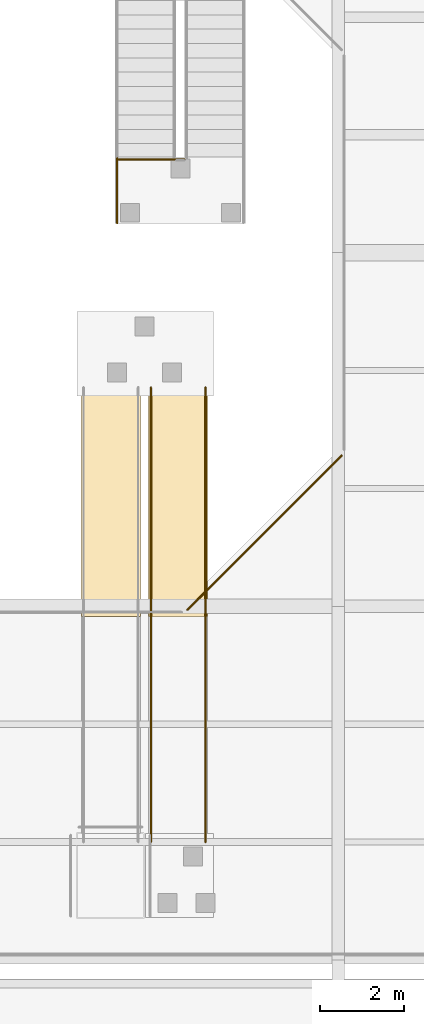
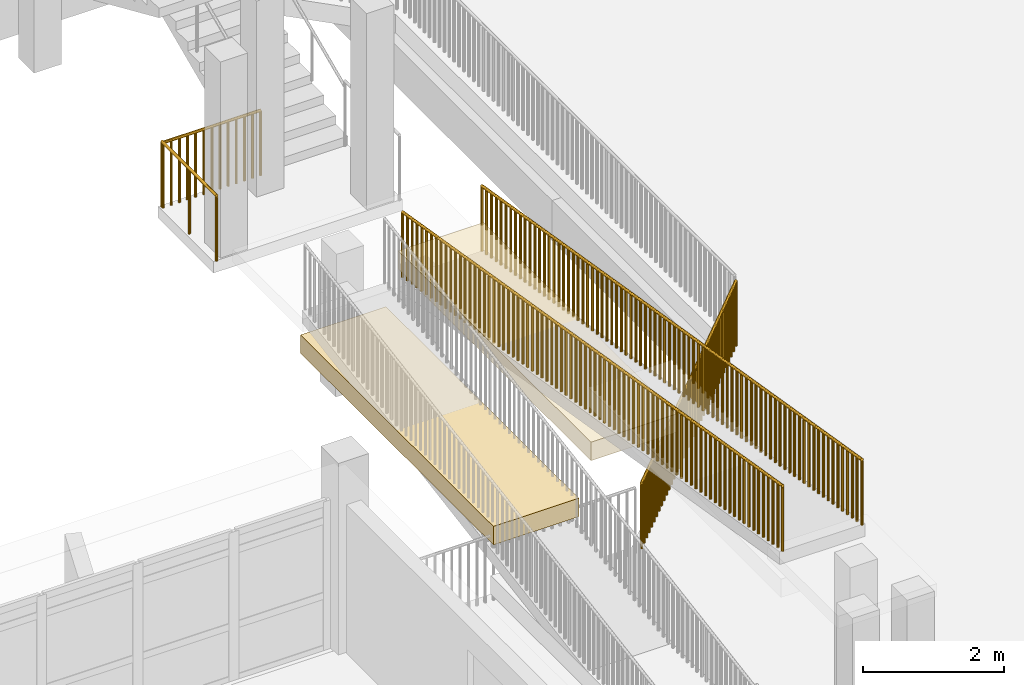
# One storey, part 73 of 92: 5 railings, 2 coverings.
"""IFC4 building model written with IfcOpenShell, lengths in metres."""

from ifc_helpers import new_model, si_unit, direction, frame, origin, origin_2d, place, context, subcontext, project, spatial, rectangle, circle, extrude, material, layer, layer_set, type_object, element, save


model = new_model("IFC4")

# Units and contexts
model_context = context("Model", 3, precision=1e-05, world=origin(), true_north=direction((0.0, 1.0)))
body_context = subcontext(model_context, "Body", "Model", "MODEL_VIEW")
ifc_project = project(units=[si_unit("LENGTHUNIT", "METRE"), si_unit("AREAUNIT", "SQUARE_METRE"), si_unit("VOLUMEUNIT", "CUBIC_METRE"), si_unit("PLANEANGLEUNIT", "RADIAN"), si_unit("MASSUNIT", "GRAM", prefix="KILO")], contexts=[model_context])

# Site, building, storey
site_placement = place(None, origin())
site = spatial("IfcSite", under=ifc_project, at=site_placement, CompositionType="ELEMENT")
building_placement = place(site_placement, origin())
building = spatial("IfcBuilding", under=site, at=building_placement, Name="Vanh Quang Courtyard School", CompositionType="ELEMENT")
storey_placement = place(building_placement, frame((0.0, 0.0, 7.800048828125)))
storey = spatial("IfcBuildingStorey", under=building, at=storey_placement, Name="L02", CompositionType="ELEMENT", Elevation=7.800048828125)

# Coverings
ifc_material_1 = material(Name="Board-marked precast concrete C40/50", Category="concrete")
ifc_layer = layer(ifc_material_1, 0.239990234375)
ifc_layer_set = layer_set([ifc_layer], Name="Board-marked precast concrete C40/50")
covering_type = type_object("IfcCoveringType", Name="COV-HOOD-CONC", PredefinedType="CLADDING", material=ifc_layer_set)
for number, where, z_axis, x_axis, name in (
    (1, (105.60009765625, 15.10009765625, 1.02978515625), (0.0, 0.0, 1.0), (1.0, 0.0, 0.0), "Covering CH-01 (L02)"),
    (2, (107.199951171875, 15.10009765625, 1.9296875), (0.0, 0.0, 1.0), (1.0, 0.0, 0.0), "Covering CH-01 (L02)"),
):
    element("IfcCovering", number, at=place(storey_placement, frame(where, z_axis=z_axis, x_axis=x_axis)), inside=storey, type_object=covering_type, Name=name, PredefinedType="CLADDING", context=body_context, shape_type="SweptSolid", body=[
        extrude(rectangle(XDim=1.39990234375, YDim=5.47998046875, at=origin_2d()), origin(), (0.0, 0.0, 1.0), 0.320068359375),
    ])

# Railings
ifc_material_2 = material(Name="Galvanised painted steel EN 10025-2 S355J2", Category="steel")
railing_type = type_object("IfcRailingType", Name="RAIL-GUARD-1150", PredefinedType="BALUSTRADE", material=ifc_material_2)
railing_1_placement = place(storey_placement, frame((107.41748046875, 12.515625, 0.0)))
element("IfcRailing", 3, at=railing_1_placement, inside=storey, type_object=railing_type, Name="Railing GR-01 (L02)", PredefinedType="BALUSTRADE", context=body_context, shape_type="SweptSolid", body=[
    extrude(circle(Radius=0.02392578125, at=origin_2d()), frame((0.0, 0.0, 1.1259765625), z_axis=(0.707130320419, 0.70708324117, 0.0), x_axis=(-0.70708324117, 0.707130320419, 0.0)), (0.0, 0.0, 1.0), 5.185791015625),
    extrude(circle(Radius=0.02099609375, at=origin_2d()), origin(), (0.0, 0.0, 1.0), 1.101806640625),
    extrude(circle(Radius=0.02099609375, at=origin_2d()), frame((0.096435546875, 0.096435546875, 0.0)), (0.0, 0.0, 1.0), 1.101806640625),
    extrude(circle(Radius=0.02099609375, at=origin_2d()), frame((0.193115234375, 0.19287109375, 0.0)), (0.0, 0.0, 1.0), 1.101806640625),
    extrude(circle(Radius=0.02099609375, at=origin_2d()), frame((0.28955078125, 0.28955078125, 0.0)), (0.0, 0.0, 1.0), 1.101806640625),
    extrude(circle(Radius=0.02099609375, at=origin_2d()), frame((0.385986328125, 0.385986328125, 0.0)), (0.0, 0.0, 1.0), 1.101806640625),
    extrude(circle(Radius=0.02099609375, at=origin_2d()), frame((0.482421875, 0.482421875, 0.0)), (0.0, 0.0, 1.0), 1.101806640625),
    extrude(circle(Radius=0.02099609375, at=origin_2d()), frame((0.5791015625, 0.578857421875, 0.0)), (0.0, 0.0, 1.0), 1.101806640625),
    extrude(circle(Radius=0.02099609375, at=origin_2d()), frame((0.675537109375, 0.675537109375, 0.0)), (0.0, 0.0, 1.0), 1.101806640625),
    extrude(circle(Radius=0.02099609375, at=origin_2d()), frame((0.77197265625, 0.77197265625, 0.0)), (0.0, 0.0, 1.0), 1.101806640625),
    extrude(circle(Radius=0.02099609375, at=origin_2d()), frame((0.868408203125, 0.868408203125, 0.0)), (0.0, 0.0, 1.0), 1.101806640625),
    extrude(circle(Radius=0.02099609375, at=origin_2d()), frame((0.965087890625, 0.96484375, 0.0)), (0.0, 0.0, 1.0), 1.101806640625),
    extrude(circle(Radius=0.02099609375, at=origin_2d()), frame((1.0615234375, 1.0615234375, 0.0)), (0.0, 0.0, 1.0), 1.101806640625),
    extrude(circle(Radius=0.02099609375, at=origin_2d()), frame((1.157958984375, 1.157958984375, 0.0)), (0.0, 0.0, 1.0), 1.101806640625),
    extrude(circle(Radius=0.02099609375, at=origin_2d()), frame((1.25439453125, 1.25439453125, 0.0)), (0.0, 0.0, 1.0), 1.101806640625),
    extrude(circle(Radius=0.02099609375, at=origin_2d()), frame((1.35107421875, 1.350830078125, 0.0)), (0.0, 0.0, 1.0), 1.101806640625),
    extrude(circle(Radius=0.02099609375, at=origin_2d()), frame((1.447509765625, 1.447509765625, 0.0)), (0.0, 0.0, 1.0), 1.101806640625),
    extrude(circle(Radius=0.02099609375, at=origin_2d()), frame((1.5439453125, 1.5439453125, 0.0)), (0.0, 0.0, 1.0), 1.101806640625),
    extrude(circle(Radius=0.02099609375, at=origin_2d()), frame((1.640380859375, 1.640380859375, 0.0)), (0.0, 0.0, 1.0), 1.101806640625),
    extrude(circle(Radius=0.02099609375, at=origin_2d()), frame((1.737060546875, 1.73681640625, 0.0)), (0.0, 0.0, 1.0), 1.101806640625),
    extrude(circle(Radius=0.02099609375, at=origin_2d()), frame((1.83349609375, 1.83349609375, 0.0)), (0.0, 0.0, 1.0), 1.101806640625),
    extrude(circle(Radius=0.02099609375, at=origin_2d()), frame((1.929931640625, 1.929931640625, 0.0)), (0.0, 0.0, 1.0), 1.101806640625),
    extrude(circle(Radius=0.02099609375, at=origin_2d()), frame((2.026611328125, 2.0263671875, 0.0)), (0.0, 0.0, 1.0), 1.101806640625),
    extrude(circle(Radius=0.02099609375, at=origin_2d()), frame((2.123046875, 2.122802734375, 0.0)), (0.0, 0.0, 1.0), 1.101806640625),
    extrude(circle(Radius=0.02099609375, at=origin_2d()), frame((2.219482421875, 2.21923828125, 0.0)), (0.0, 0.0, 1.0), 1.101806640625),
    extrude(circle(Radius=0.02099609375, at=origin_2d()), frame((2.31591796875, 2.31591796875, 0.0)), (0.0, 0.0, 1.0), 1.101806640625),
    extrude(circle(Radius=0.02099609375, at=origin_2d()), frame((2.41259765625, 2.412353515625, 0.0)), (0.0, 0.0, 1.0), 1.101806640625),
    extrude(circle(Radius=0.02099609375, at=origin_2d()), frame((2.509033203125, 2.5087890625, 0.0)), (0.0, 0.0, 1.0), 1.101806640625),
    extrude(circle(Radius=0.02099609375, at=origin_2d()), frame((2.60546875, 2.605224609375, 0.0)), (0.0, 0.0, 1.0), 1.101806640625),
    extrude(circle(Radius=0.02099609375, at=origin_2d()), frame((2.701904296875, 2.701904296875, 0.0)), (0.0, 0.0, 1.0), 1.101806640625),
    extrude(circle(Radius=0.02099609375, at=origin_2d()), frame((2.798583984375, 2.79833984375, 0.0)), (0.0, 0.0, 1.0), 1.101806640625),
    extrude(circle(Radius=0.02099609375, at=origin_2d()), frame((2.89501953125, 2.894775390625, 0.0)), (0.0, 0.0, 1.0), 1.101806640625),
    extrude(circle(Radius=0.02099609375, at=origin_2d()), frame((2.991455078125, 2.9912109375, 0.0)), (0.0, 0.0, 1.0), 1.101806640625),
    extrude(circle(Radius=0.02099609375, at=origin_2d()), frame((3.087890625, 3.087890625, 0.0)), (0.0, 0.0, 1.0), 1.101806640625),
    extrude(circle(Radius=0.02099609375, at=origin_2d()), frame((3.1845703125, 3.184326171875, 0.0)), (0.0, 0.0, 1.0), 1.101806640625),
    extrude(circle(Radius=0.02099609375, at=origin_2d()), frame((3.281005859375, 3.28076171875, 0.0)), (0.0, 0.0, 1.0), 1.101806640625),
    extrude(circle(Radius=0.02099609375, at=origin_2d()), frame((3.37744140625, 3.377197265625, 0.0)), (0.0, 0.0, 1.0), 1.101806640625),
    extrude(circle(Radius=0.02099609375, at=origin_2d()), frame((3.473876953125, 3.473876953125, 0.0)), (0.0, 0.0, 1.0), 1.101806640625),
    extrude(circle(Radius=0.02099609375, at=origin_2d()), frame((3.570556640625, 3.5703125, 0.0)), (0.0, 0.0, 1.0), 1.101806640625),
    extrude(circle(Radius=0.02099609375, at=origin_2d()), frame((3.6669921875, 3.666748046875, 0.0)), (0.0, 0.0, 1.0), 1.101806640625),
])
railing_2_placement = place(storey_placement, frame((106.550048828125, 17.800048828125, 1.800048828125)))
element("IfcRailing", 4, at=railing_2_placement, inside=storey, type_object=railing_type, Name="Railing GR-01 (L02)", PredefinedType="BALUSTRADE", context=body_context, shape_type="SweptSolid", body=[
    extrude(circle(Radius=0.02392578125, at=origin_2d()), frame((0.0, 0.0, 1.1259765625), z_axis=(0.0, -0.986396936911, 0.164380907813), x_axis=(1.0, 0.0, 0.0)), (0.0, 0.0, 1.0), 10.948974609375),
    extrude(circle(Radius=0.02099609375, at=origin_2d()), origin(), (0.0, 0.0, 1.0), 1.101806640625),
    extrude(circle(Radius=0.02099609375, at=origin_2d()), frame((0.0, -0.13671875, 0.022705078125)), (0.0, 0.0, 1.0), 1.101806640625),
    extrude(circle(Radius=0.02099609375, at=origin_2d()), frame((0.0, -0.2734375, 0.045654296875)), (0.0, 0.0, 1.0), 1.101806640625),
    extrude(circle(Radius=0.02099609375, at=origin_2d()), frame((0.0, -0.41015625, 0.068359375)), (0.0, 0.0, 1.0), 1.101806640625),
    extrude(circle(Radius=0.02099609375, at=origin_2d()), frame((0.0, -0.546875, 0.091064453125)), (0.0, 0.0, 1.0), 1.101806640625),
    extrude(circle(Radius=0.02099609375, at=origin_2d()), frame((0.0, -0.68359375, 0.114013671875)), (0.0, 0.0, 1.0), 1.101806640625),
    extrude(circle(Radius=0.02099609375, at=origin_2d()), frame((0.0, -0.8203125, 0.13671875)), (0.0, 0.0, 1.0), 1.101806640625),
    extrude(circle(Radius=0.02099609375, at=origin_2d()), frame((0.0, -0.95703125, 0.159423828125)), (0.0, 0.0, 1.0), 1.101806640625),
    extrude(circle(Radius=0.02099609375, at=origin_2d()), frame((0.0, -1.09375, 0.182373046875)), (0.0, 0.0, 1.0), 1.101806640625),
    extrude(circle(Radius=0.02099609375, at=origin_2d()), frame((0.0, -1.23046875, 0.205078125)), (0.0, 0.0, 1.0), 1.101806640625),
    extrude(circle(Radius=0.02099609375, at=origin_2d()), frame((0.0, -1.3671875, 0.227783203125)), (0.0, 0.0, 1.0), 1.101806640625),
    extrude(circle(Radius=0.02099609375, at=origin_2d()), frame((0.0, -1.50390625, 0.25048828125)), (0.0, 0.0, 1.0), 1.101806640625),
    extrude(circle(Radius=0.02099609375, at=origin_2d()), frame((0.0, -1.640625, 0.2734375)), (0.0, 0.0, 1.0), 1.101806640625),
    extrude(circle(Radius=0.02099609375, at=origin_2d()), frame((0.0, -1.77734375, 0.296142578125)), (0.0, 0.0, 1.0), 1.101806640625),
    extrude(circle(Radius=0.02099609375, at=origin_2d()), frame((0.0, -1.913818359375, 0.31884765625)), (0.0, 0.0, 1.0), 1.101806640625),
    extrude(circle(Radius=0.02099609375, at=origin_2d()), frame((0.0, -2.050537109375, 0.341796875)), (0.0, 0.0, 1.0), 1.101806640625),
    extrude(circle(Radius=0.02099609375, at=origin_2d()), frame((0.0, -2.187255859375, 0.364501953125)), (0.0, 0.0, 1.0), 1.101806640625),
    extrude(circle(Radius=0.02099609375, at=origin_2d()), frame((0.0, -2.323974609375, 0.38720703125)), (0.0, 0.0, 1.0), 1.101806640625),
    extrude(circle(Radius=0.02099609375, at=origin_2d()), frame((0.0, -2.460693359375, 0.41015625)), (0.0, 0.0, 1.0), 1.101806640625),
    extrude(circle(Radius=0.02099609375, at=origin_2d()), frame((0.0, -2.597412109375, 0.432861328125)), (0.0, 0.0, 1.0), 1.101806640625),
    extrude(circle(Radius=0.02099609375, at=origin_2d()), frame((0.0, -2.734130859375, 0.45556640625)), (0.0, 0.0, 1.0), 1.101806640625),
    extrude(circle(Radius=0.02099609375, at=origin_2d()), frame((0.0, -2.870849609375, 0.478515625)), (0.0, 0.0, 1.0), 1.101806640625),
    extrude(circle(Radius=0.02099609375, at=origin_2d()), frame((0.0, -3.007568359375, 0.501220703125)), (0.0, 0.0, 1.0), 1.101806640625),
    extrude(circle(Radius=0.02099609375, at=origin_2d()), frame((0.0, -3.144287109375, 0.52392578125)), (0.0, 0.0, 1.0), 1.101806640625),
    extrude(circle(Radius=0.02099609375, at=origin_2d()), frame((0.0, -3.281005859375, 0.546875)), (0.0, 0.0, 1.0), 1.101806640625),
    extrude(circle(Radius=0.02099609375, at=origin_2d()), frame((0.0, -3.417724609375, 0.569580078125)), (0.0, 0.0, 1.0), 1.101806640625),
    extrude(circle(Radius=0.02099609375, at=origin_2d()), frame((0.0, -3.554443359375, 0.59228515625)), (0.0, 0.0, 1.0), 1.101806640625),
    extrude(circle(Radius=0.02099609375, at=origin_2d()), frame((0.0, -3.691162109375, 0.615234375)), (0.0, 0.0, 1.0), 1.101806640625),
    extrude(circle(Radius=0.02099609375, at=origin_2d()), frame((0.0, -3.827880859375, 0.637939453125)), (0.0, 0.0, 1.0), 1.101806640625),
    extrude(circle(Radius=0.02099609375, at=origin_2d()), frame((0.0, -3.964599609375, 0.66064453125)), (0.0, 0.0, 1.0), 1.101806640625),
    extrude(circle(Radius=0.02099609375, at=origin_2d()), frame((0.0, -4.101318359375, 0.683349609375)), (0.0, 0.0, 1.0), 1.101806640625),
    extrude(circle(Radius=0.02099609375, at=origin_2d()), frame((0.0, -4.238037109375, 0.706298828125)), (0.0, 0.0, 1.0), 1.101806640625),
    extrude(circle(Radius=0.02099609375, at=origin_2d()), frame((0.0, -4.374755859375, 0.72900390625)), (0.0, 0.0, 1.0), 1.101806640625),
    extrude(circle(Radius=0.02099609375, at=origin_2d()), frame((0.0, -4.511474609375, 0.751708984375)), (0.0, 0.0, 1.0), 1.101806640625),
    extrude(circle(Radius=0.02099609375, at=origin_2d()), frame((0.0, -4.648193359375, 0.774658203125)), (0.0, 0.0, 1.0), 1.101806640625),
    extrude(circle(Radius=0.02099609375, at=origin_2d()), frame((0.0, -4.784912109375, 0.79736328125)), (0.0, 0.0, 1.0), 1.101806640625),
    extrude(circle(Radius=0.02099609375, at=origin_2d()), frame((0.0, -4.921630859375, 0.820068359375)), (0.0, 0.0, 1.0), 1.101806640625),
    extrude(circle(Radius=0.02099609375, at=origin_2d()), frame((0.0, -5.058349609375, 0.843017578125)), (0.0, 0.0, 1.0), 1.101806640625),
    extrude(circle(Radius=0.02099609375, at=origin_2d()), frame((0.0, -5.195068359375, 0.86572265625)), (0.0, 0.0, 1.0), 1.101806640625),
    extrude(circle(Radius=0.02099609375, at=origin_2d()), frame((0.0, -5.331787109375, 0.888427734375)), (0.0, 0.0, 1.0), 1.101806640625),
    extrude(circle(Radius=0.02099609375, at=origin_2d()), frame((0.0, -5.46826171875, 0.911376953125)), (0.0, 0.0, 1.0), 1.101806640625),
    extrude(circle(Radius=0.02099609375, at=origin_2d()), frame((0.0, -5.60498046875, 0.93408203125)), (0.0, 0.0, 1.0), 1.101806640625),
    extrude(circle(Radius=0.02099609375, at=origin_2d()), frame((0.0, -5.74169921875, 0.956787109375)), (0.0, 0.0, 1.0), 1.101806640625),
    extrude(circle(Radius=0.02099609375, at=origin_2d()), frame((0.0, -5.87841796875, 0.979736328125)), (0.0, 0.0, 1.0), 1.101806640625),
    extrude(circle(Radius=0.02099609375, at=origin_2d()), frame((0.0, -6.01513671875, 1.00244140625)), (0.0, 0.0, 1.0), 1.101806640625),
    extrude(circle(Radius=0.02099609375, at=origin_2d()), frame((0.0, -6.15185546875, 1.025146484375)), (0.0, 0.0, 1.0), 1.101806640625),
    extrude(circle(Radius=0.02099609375, at=origin_2d()), frame((0.0, -6.28857421875, 1.048095703125)), (0.0, 0.0, 1.0), 1.101806640625),
    extrude(circle(Radius=0.02099609375, at=origin_2d()), frame((0.0, -6.42529296875, 1.07080078125)), (0.0, 0.0, 1.0), 1.101806640625),
    extrude(circle(Radius=0.02099609375, at=origin_2d()), frame((0.0, -6.56201171875, 1.093505859375)), (0.0, 0.0, 1.0), 1.101806640625),
    extrude(circle(Radius=0.02099609375, at=origin_2d()), frame((0.0, -6.69873046875, 1.116455078125)), (0.0, 0.0, 1.0), 1.101806640625),
    extrude(circle(Radius=0.02099609375, at=origin_2d()), frame((0.0, -6.83544921875, 1.13916015625)), (0.0, 0.0, 1.0), 1.101806640625),
    extrude(circle(Radius=0.02099609375, at=origin_2d()), frame((0.0, -6.97216796875, 1.161865234375)), (0.0, 0.0, 1.0), 1.101806640625),
    extrude(circle(Radius=0.02099609375, at=origin_2d()), frame((0.0, -7.10888671875, 1.1845703125)), (0.0, 0.0, 1.0), 1.101806640625),
    extrude(circle(Radius=0.02099609375, at=origin_2d()), frame((0.0, -7.24560546875, 1.20751953125)), (0.0, 0.0, 1.0), 1.101806640625),
    extrude(circle(Radius=0.02099609375, at=origin_2d()), frame((0.0, -7.38232421875, 1.230224609375)), (0.0, 0.0, 1.0), 1.101806640625),
    extrude(circle(Radius=0.02099609375, at=origin_2d()), frame((0.0, -7.51904296875, 1.2529296875)), (0.0, 0.0, 1.0), 1.101806640625),
    extrude(circle(Radius=0.02099609375, at=origin_2d()), frame((0.0, -7.65576171875, 1.27587890625)), (0.0, 0.0, 1.0), 1.101806640625),
    extrude(circle(Radius=0.02099609375, at=origin_2d()), frame((0.0, -7.79248046875, 1.298583984375)), (0.0, 0.0, 1.0), 1.101806640625),
    extrude(circle(Radius=0.02099609375, at=origin_2d()), frame((0.0, -7.92919921875, 1.3212890625)), (0.0, 0.0, 1.0), 1.101806640625),
    extrude(circle(Radius=0.02099609375, at=origin_2d()), frame((0.0, -8.06591796875, 1.34423828125)), (0.0, 0.0, 1.0), 1.101806640625),
    extrude(circle(Radius=0.02099609375, at=origin_2d()), frame((0.0, -8.20263671875, 1.366943359375)), (0.0, 0.0, 1.0), 1.101806640625),
    extrude(circle(Radius=0.02099609375, at=origin_2d()), frame((0.0, -8.33935546875, 1.3896484375)), (0.0, 0.0, 1.0), 1.101806640625),
    extrude(circle(Radius=0.02099609375, at=origin_2d()), frame((0.0, -8.47607421875, 1.41259765625)), (0.0, 0.0, 1.0), 1.101806640625),
    extrude(circle(Radius=0.02099609375, at=origin_2d()), frame((0.0, -8.61279296875, 1.435302734375)), (0.0, 0.0, 1.0), 1.101806640625),
    extrude(circle(Radius=0.02099609375, at=origin_2d()), frame((0.0, -8.74951171875, 1.4580078125)), (0.0, 0.0, 1.0), 1.101806640625),
    extrude(circle(Radius=0.02099609375, at=origin_2d()), frame((0.0, -8.88623046875, 1.48095703125)), (0.0, 0.0, 1.0), 1.101806640625),
    extrude(circle(Radius=0.02099609375, at=origin_2d()), frame((0.0, -9.022705078125, 1.503662109375)), (0.0, 0.0, 1.0), 1.101806640625),
    extrude(circle(Radius=0.02099609375, at=origin_2d()), frame((0.0, -9.159423828125, 1.5263671875)), (0.0, 0.0, 1.0), 1.101806640625),
    extrude(circle(Radius=0.02099609375, at=origin_2d()), frame((0.0, -9.296142578125, 1.54931640625)), (0.0, 0.0, 1.0), 1.101806640625),
    extrude(circle(Radius=0.02099609375, at=origin_2d()), frame((0.0, -9.432861328125, 1.572021484375)), (0.0, 0.0, 1.0), 1.101806640625),
    extrude(circle(Radius=0.02099609375, at=origin_2d()), frame((0.0, -9.569580078125, 1.5947265625)), (0.0, 0.0, 1.0), 1.101806640625),
    extrude(circle(Radius=0.02099609375, at=origin_2d()), frame((0.0, -9.706298828125, 1.617431640625)), (0.0, 0.0, 1.0), 1.101806640625),
    extrude(circle(Radius=0.02099609375, at=origin_2d()), frame((0.0, -9.843017578125, 1.640380859375)), (0.0, 0.0, 1.0), 1.101806640625),
    extrude(circle(Radius=0.02099609375, at=origin_2d()), frame((0.0, -9.979736328125, 1.6630859375)), (0.0, 0.0, 1.0), 1.101806640625),
    extrude(circle(Radius=0.02099609375, at=origin_2d()), frame((0.0, -10.116455078125, 1.685791015625)), (0.0, 0.0, 1.0), 1.101806640625),
    extrude(circle(Radius=0.02099609375, at=origin_2d()), frame((0.0, -10.253173828125, 1.708740234375)), (0.0, 0.0, 1.0), 1.101806640625),
    extrude(circle(Radius=0.02099609375, at=origin_2d()), frame((0.0, -10.389892578125, 1.7314453125)), (0.0, 0.0, 1.0), 1.101806640625),
    extrude(circle(Radius=0.02099609375, at=origin_2d()), frame((0.0, -10.526611328125, 1.754150390625)), (0.0, 0.0, 1.0), 1.101806640625),
    extrude(circle(Radius=0.02099609375, at=origin_2d()), frame((0.0, -10.663330078125, 1.777099609375)), (0.0, 0.0, 1.0), 1.101806640625),
    extrude(circle(Radius=0.02099609375, at=origin_2d()), frame((0.0, -10.800048828125, 1.7998046875)), (0.0, 0.0, 1.0), 1.101806640625),
])
railing_3_placement = place(storey_placement, frame((107.85009765625, 17.800048828125, 1.800048828125)))
element("IfcRailing", 5, at=railing_3_placement, inside=storey, type_object=railing_type, Name="Railing GR-01 (L02)", PredefinedType="BALUSTRADE", context=body_context, shape_type="SweptSolid", body=[
    extrude(circle(Radius=0.02392578125, at=origin_2d()), frame((0.0, 0.0, 1.1259765625), z_axis=(0.0, -0.986396936911, 0.164380907813), x_axis=(1.0, 0.0, 0.0)), (0.0, 0.0, 1.0), 10.948974609375),
    extrude(circle(Radius=0.02099609375, at=origin_2d()), origin(), (0.0, 0.0, 1.0), 1.101806640625),
    extrude(circle(Radius=0.02099609375, at=origin_2d()), frame((0.0, -0.13671875, 0.022705078125)), (0.0, 0.0, 1.0), 1.101806640625),
    extrude(circle(Radius=0.02099609375, at=origin_2d()), frame((0.0, -0.2734375, 0.045654296875)), (0.0, 0.0, 1.0), 1.101806640625),
    extrude(circle(Radius=0.02099609375, at=origin_2d()), frame((0.0, -0.41015625, 0.068359375)), (0.0, 0.0, 1.0), 1.101806640625),
    extrude(circle(Radius=0.02099609375, at=origin_2d()), frame((0.0, -0.546875, 0.091064453125)), (0.0, 0.0, 1.0), 1.101806640625),
    extrude(circle(Radius=0.02099609375, at=origin_2d()), frame((0.0, -0.68359375, 0.114013671875)), (0.0, 0.0, 1.0), 1.101806640625),
    extrude(circle(Radius=0.02099609375, at=origin_2d()), frame((0.0, -0.8203125, 0.13671875)), (0.0, 0.0, 1.0), 1.101806640625),
    extrude(circle(Radius=0.02099609375, at=origin_2d()), frame((0.0, -0.95703125, 0.159423828125)), (0.0, 0.0, 1.0), 1.101806640625),
    extrude(circle(Radius=0.02099609375, at=origin_2d()), frame((0.0, -1.09375, 0.182373046875)), (0.0, 0.0, 1.0), 1.101806640625),
    extrude(circle(Radius=0.02099609375, at=origin_2d()), frame((0.0, -1.23046875, 0.205078125)), (0.0, 0.0, 1.0), 1.101806640625),
    extrude(circle(Radius=0.02099609375, at=origin_2d()), frame((0.0, -1.3671875, 0.227783203125)), (0.0, 0.0, 1.0), 1.101806640625),
    extrude(circle(Radius=0.02099609375, at=origin_2d()), frame((0.0, -1.50390625, 0.25048828125)), (0.0, 0.0, 1.0), 1.101806640625),
    extrude(circle(Radius=0.02099609375, at=origin_2d()), frame((0.0, -1.640625, 0.2734375)), (0.0, 0.0, 1.0), 1.101806640625),
    extrude(circle(Radius=0.02099609375, at=origin_2d()), frame((0.0, -1.77734375, 0.296142578125)), (0.0, 0.0, 1.0), 1.101806640625),
    extrude(circle(Radius=0.02099609375, at=origin_2d()), frame((0.0, -1.913818359375, 0.31884765625)), (0.0, 0.0, 1.0), 1.101806640625),
    extrude(circle(Radius=0.02099609375, at=origin_2d()), frame((0.0, -2.050537109375, 0.341796875)), (0.0, 0.0, 1.0), 1.101806640625),
    extrude(circle(Radius=0.02099609375, at=origin_2d()), frame((0.0, -2.187255859375, 0.364501953125)), (0.0, 0.0, 1.0), 1.101806640625),
    extrude(circle(Radius=0.02099609375, at=origin_2d()), frame((0.0, -2.323974609375, 0.38720703125)), (0.0, 0.0, 1.0), 1.101806640625),
    extrude(circle(Radius=0.02099609375, at=origin_2d()), frame((0.0, -2.460693359375, 0.41015625)), (0.0, 0.0, 1.0), 1.101806640625),
    extrude(circle(Radius=0.02099609375, at=origin_2d()), frame((0.0, -2.597412109375, 0.432861328125)), (0.0, 0.0, 1.0), 1.101806640625),
    extrude(circle(Radius=0.02099609375, at=origin_2d()), frame((0.0, -2.734130859375, 0.45556640625)), (0.0, 0.0, 1.0), 1.101806640625),
    extrude(circle(Radius=0.02099609375, at=origin_2d()), frame((0.0, -2.870849609375, 0.478515625)), (0.0, 0.0, 1.0), 1.101806640625),
    extrude(circle(Radius=0.02099609375, at=origin_2d()), frame((0.0, -3.007568359375, 0.501220703125)), (0.0, 0.0, 1.0), 1.101806640625),
    extrude(circle(Radius=0.02099609375, at=origin_2d()), frame((0.0, -3.144287109375, 0.52392578125)), (0.0, 0.0, 1.0), 1.101806640625),
    extrude(circle(Radius=0.02099609375, at=origin_2d()), frame((0.0, -3.281005859375, 0.546875)), (0.0, 0.0, 1.0), 1.101806640625),
    extrude(circle(Radius=0.02099609375, at=origin_2d()), frame((0.0, -3.417724609375, 0.569580078125)), (0.0, 0.0, 1.0), 1.101806640625),
    extrude(circle(Radius=0.02099609375, at=origin_2d()), frame((0.0, -3.554443359375, 0.59228515625)), (0.0, 0.0, 1.0), 1.101806640625),
    extrude(circle(Radius=0.02099609375, at=origin_2d()), frame((0.0, -3.691162109375, 0.615234375)), (0.0, 0.0, 1.0), 1.101806640625),
    extrude(circle(Radius=0.02099609375, at=origin_2d()), frame((0.0, -3.827880859375, 0.637939453125)), (0.0, 0.0, 1.0), 1.101806640625),
    extrude(circle(Radius=0.02099609375, at=origin_2d()), frame((0.0, -3.964599609375, 0.66064453125)), (0.0, 0.0, 1.0), 1.101806640625),
    extrude(circle(Radius=0.02099609375, at=origin_2d()), frame((0.0, -4.101318359375, 0.683349609375)), (0.0, 0.0, 1.0), 1.101806640625),
    extrude(circle(Radius=0.02099609375, at=origin_2d()), frame((0.0, -4.238037109375, 0.706298828125)), (0.0, 0.0, 1.0), 1.101806640625),
    extrude(circle(Radius=0.02099609375, at=origin_2d()), frame((0.0, -4.374755859375, 0.72900390625)), (0.0, 0.0, 1.0), 1.101806640625),
    extrude(circle(Radius=0.02099609375, at=origin_2d()), frame((0.0, -4.511474609375, 0.751708984375)), (0.0, 0.0, 1.0), 1.101806640625),
    extrude(circle(Radius=0.02099609375, at=origin_2d()), frame((0.0, -4.648193359375, 0.774658203125)), (0.0, 0.0, 1.0), 1.101806640625),
    extrude(circle(Radius=0.02099609375, at=origin_2d()), frame((0.0, -4.784912109375, 0.79736328125)), (0.0, 0.0, 1.0), 1.101806640625),
    extrude(circle(Radius=0.02099609375, at=origin_2d()), frame((0.0, -4.921630859375, 0.820068359375)), (0.0, 0.0, 1.0), 1.101806640625),
    extrude(circle(Radius=0.02099609375, at=origin_2d()), frame((0.0, -5.058349609375, 0.843017578125)), (0.0, 0.0, 1.0), 1.101806640625),
    extrude(circle(Radius=0.02099609375, at=origin_2d()), frame((0.0, -5.195068359375, 0.86572265625)), (0.0, 0.0, 1.0), 1.101806640625),
    extrude(circle(Radius=0.02099609375, at=origin_2d()), frame((0.0, -5.331787109375, 0.888427734375)), (0.0, 0.0, 1.0), 1.101806640625),
    extrude(circle(Radius=0.02099609375, at=origin_2d()), frame((0.0, -5.46826171875, 0.911376953125)), (0.0, 0.0, 1.0), 1.101806640625),
    extrude(circle(Radius=0.02099609375, at=origin_2d()), frame((0.0, -5.60498046875, 0.93408203125)), (0.0, 0.0, 1.0), 1.101806640625),
    extrude(circle(Radius=0.02099609375, at=origin_2d()), frame((0.0, -5.74169921875, 0.956787109375)), (0.0, 0.0, 1.0), 1.101806640625),
    extrude(circle(Radius=0.02099609375, at=origin_2d()), frame((0.0, -5.87841796875, 0.979736328125)), (0.0, 0.0, 1.0), 1.101806640625),
    extrude(circle(Radius=0.02099609375, at=origin_2d()), frame((0.0, -6.01513671875, 1.00244140625)), (0.0, 0.0, 1.0), 1.101806640625),
    extrude(circle(Radius=0.02099609375, at=origin_2d()), frame((0.0, -6.15185546875, 1.025146484375)), (0.0, 0.0, 1.0), 1.101806640625),
    extrude(circle(Radius=0.02099609375, at=origin_2d()), frame((0.0, -6.28857421875, 1.048095703125)), (0.0, 0.0, 1.0), 1.101806640625),
    extrude(circle(Radius=0.02099609375, at=origin_2d()), frame((0.0, -6.42529296875, 1.07080078125)), (0.0, 0.0, 1.0), 1.101806640625),
    extrude(circle(Radius=0.02099609375, at=origin_2d()), frame((0.0, -6.56201171875, 1.093505859375)), (0.0, 0.0, 1.0), 1.101806640625),
    extrude(circle(Radius=0.02099609375, at=origin_2d()), frame((0.0, -6.69873046875, 1.116455078125)), (0.0, 0.0, 1.0), 1.101806640625),
    extrude(circle(Radius=0.02099609375, at=origin_2d()), frame((0.0, -6.83544921875, 1.13916015625)), (0.0, 0.0, 1.0), 1.101806640625),
    extrude(circle(Radius=0.02099609375, at=origin_2d()), frame((0.0, -6.97216796875, 1.161865234375)), (0.0, 0.0, 1.0), 1.101806640625),
    extrude(circle(Radius=0.02099609375, at=origin_2d()), frame((0.0, -7.10888671875, 1.1845703125)), (0.0, 0.0, 1.0), 1.101806640625),
    extrude(circle(Radius=0.02099609375, at=origin_2d()), frame((0.0, -7.24560546875, 1.20751953125)), (0.0, 0.0, 1.0), 1.101806640625),
    extrude(circle(Radius=0.02099609375, at=origin_2d()), frame((0.0, -7.38232421875, 1.230224609375)), (0.0, 0.0, 1.0), 1.101806640625),
    extrude(circle(Radius=0.02099609375, at=origin_2d()), frame((0.0, -7.51904296875, 1.2529296875)), (0.0, 0.0, 1.0), 1.101806640625),
    extrude(circle(Radius=0.02099609375, at=origin_2d()), frame((0.0, -7.65576171875, 1.27587890625)), (0.0, 0.0, 1.0), 1.101806640625),
    extrude(circle(Radius=0.02099609375, at=origin_2d()), frame((0.0, -7.79248046875, 1.298583984375)), (0.0, 0.0, 1.0), 1.101806640625),
    extrude(circle(Radius=0.02099609375, at=origin_2d()), frame((0.0, -7.92919921875, 1.3212890625)), (0.0, 0.0, 1.0), 1.101806640625),
    extrude(circle(Radius=0.02099609375, at=origin_2d()), frame((0.0, -8.06591796875, 1.34423828125)), (0.0, 0.0, 1.0), 1.101806640625),
    extrude(circle(Radius=0.02099609375, at=origin_2d()), frame((0.0, -8.20263671875, 1.366943359375)), (0.0, 0.0, 1.0), 1.101806640625),
    extrude(circle(Radius=0.02099609375, at=origin_2d()), frame((0.0, -8.33935546875, 1.3896484375)), (0.0, 0.0, 1.0), 1.101806640625),
    extrude(circle(Radius=0.02099609375, at=origin_2d()), frame((0.0, -8.47607421875, 1.41259765625)), (0.0, 0.0, 1.0), 1.101806640625),
    extrude(circle(Radius=0.02099609375, at=origin_2d()), frame((0.0, -8.61279296875, 1.435302734375)), (0.0, 0.0, 1.0), 1.101806640625),
    extrude(circle(Radius=0.02099609375, at=origin_2d()), frame((0.0, -8.74951171875, 1.4580078125)), (0.0, 0.0, 1.0), 1.101806640625),
    extrude(circle(Radius=0.02099609375, at=origin_2d()), frame((0.0, -8.88623046875, 1.48095703125)), (0.0, 0.0, 1.0), 1.101806640625),
    extrude(circle(Radius=0.02099609375, at=origin_2d()), frame((0.0, -9.022705078125, 1.503662109375)), (0.0, 0.0, 1.0), 1.101806640625),
    extrude(circle(Radius=0.02099609375, at=origin_2d()), frame((0.0, -9.159423828125, 1.5263671875)), (0.0, 0.0, 1.0), 1.101806640625),
    extrude(circle(Radius=0.02099609375, at=origin_2d()), frame((0.0, -9.296142578125, 1.54931640625)), (0.0, 0.0, 1.0), 1.101806640625),
    extrude(circle(Radius=0.02099609375, at=origin_2d()), frame((0.0, -9.432861328125, 1.572021484375)), (0.0, 0.0, 1.0), 1.101806640625),
    extrude(circle(Radius=0.02099609375, at=origin_2d()), frame((0.0, -9.569580078125, 1.5947265625)), (0.0, 0.0, 1.0), 1.101806640625),
    extrude(circle(Radius=0.02099609375, at=origin_2d()), frame((0.0, -9.706298828125, 1.617431640625)), (0.0, 0.0, 1.0), 1.101806640625),
    extrude(circle(Radius=0.02099609375, at=origin_2d()), frame((0.0, -9.843017578125, 1.640380859375)), (0.0, 0.0, 1.0), 1.101806640625),
    extrude(circle(Radius=0.02099609375, at=origin_2d()), frame((0.0, -9.979736328125, 1.6630859375)), (0.0, 0.0, 1.0), 1.101806640625),
    extrude(circle(Radius=0.02099609375, at=origin_2d()), frame((0.0, -10.116455078125, 1.685791015625)), (0.0, 0.0, 1.0), 1.101806640625),
    extrude(circle(Radius=0.02099609375, at=origin_2d()), frame((0.0, -10.253173828125, 1.708740234375)), (0.0, 0.0, 1.0), 1.101806640625),
    extrude(circle(Radius=0.02099609375, at=origin_2d()), frame((0.0, -10.389892578125, 1.7314453125)), (0.0, 0.0, 1.0), 1.101806640625),
    extrude(circle(Radius=0.02099609375, at=origin_2d()), frame((0.0, -10.526611328125, 1.754150390625)), (0.0, 0.0, 1.0), 1.101806640625),
    extrude(circle(Radius=0.02099609375, at=origin_2d()), frame((0.0, -10.663330078125, 1.777099609375)), (0.0, 0.0, 1.0), 1.101806640625),
    extrude(circle(Radius=0.02099609375, at=origin_2d()), frame((0.0, -10.800048828125, 1.7998046875)), (0.0, 0.0, 1.0), 1.101806640625),
])
railing_4_placement = place(storey_placement, frame((105.75, 21.699951171875, 0.0)))
element("IfcRailing", 6, at=railing_4_placement, inside=storey, type_object=railing_type, Name="L02 ST-T3 stair guard 9", PredefinedType="BALUSTRADE", context=body_context, shape_type="SweptSolid", body=[
    extrude(circle(Radius=0.02392578125, at=origin_2d()), frame((0.0, 0.0, 1.1259765625), z_axis=(0.0, 1.0, 0.0), x_axis=(-1.0, 0.0, 0.0)), (0.0, 0.0, 1.0), 1.550048828125),
    extrude(circle(Radius=0.02099609375, at=origin_2d()), origin(), (0.0, 0.0, 1.0), 1.101806640625),
    extrude(circle(Radius=0.02099609375, at=origin_2d()), frame((0.0, 0.77490234375, 0.0)), (0.0, 0.0, 1.0), 1.101806640625),
    extrude(circle(Radius=0.02099609375, at=origin_2d()), frame((0.0, 1.550048828125, 0.0)), (0.0, 0.0, 1.0), 1.101806640625),
])
railing_5_placement = place(storey_placement, frame((105.75, 23.219970703125, 0.0)))
element("IfcRailing", 7, at=railing_5_placement, inside=storey, type_object=railing_type, Name="Railing GR-01 (L02)", PredefinedType="BALUSTRADE", context=body_context, shape_type="SweptSolid", body=[
    extrude(circle(Radius=0.02392578125, at=origin_2d()), frame((0.0, 0.0, 1.1259765625), z_axis=(1.0, 0.0, 0.0), x_axis=(0.0, 1.0, 0.0)), (0.0, 0.0, 1.0), 1.60009765625),
    extrude(circle(Radius=0.02099609375, at=origin_2d()), origin(), (0.0, 0.0, 1.0), 1.101806640625),
    extrude(circle(Radius=0.02099609375, at=origin_2d()), frame((0.13330078125, 0.0, 0.0)), (0.0, 0.0, 1.0), 1.101806640625),
    extrude(circle(Radius=0.02099609375, at=origin_2d()), frame((0.2666015625, 0.0, 0.0)), (0.0, 0.0, 1.0), 1.101806640625),
    extrude(circle(Radius=0.02099609375, at=origin_2d()), frame((0.39990234375, 0.0, 0.0)), (0.0, 0.0, 1.0), 1.101806640625),
    extrude(circle(Radius=0.02099609375, at=origin_2d()), frame((0.533447265625, 0.0, 0.0)), (0.0, 0.0, 1.0), 1.101806640625),
    extrude(circle(Radius=0.02099609375, at=origin_2d()), frame((0.666748046875, 0.0, 0.0)), (0.0, 0.0, 1.0), 1.101806640625),
    extrude(circle(Radius=0.02099609375, at=origin_2d()), frame((0.800048828125, 0.0, 0.0)), (0.0, 0.0, 1.0), 1.101806640625),
    extrude(circle(Radius=0.02099609375, at=origin_2d()), frame((0.933349609375, 0.0, 0.0)), (0.0, 0.0, 1.0), 1.101806640625),
    extrude(circle(Radius=0.02099609375, at=origin_2d()), frame((1.066650390625, 0.0, 0.0)), (0.0, 0.0, 1.0), 1.101806640625),
    extrude(circle(Radius=0.02099609375, at=origin_2d()), frame((1.2001953125, 0.0, 0.0)), (0.0, 0.0, 1.0), 1.101806640625),
    extrude(circle(Radius=0.02099609375, at=origin_2d()), frame((1.33349609375, 0.0, 0.0)), (0.0, 0.0, 1.0), 1.101806640625),
    extrude(circle(Radius=0.02099609375, at=origin_2d()), frame((1.466796875, 0.0, 0.0)), (0.0, 0.0, 1.0), 1.101806640625),
    extrude(circle(Radius=0.02099609375, at=origin_2d()), frame((1.60009765625, 0.0, 0.0)), (0.0, 0.0, 1.0), 1.101806640625),
])

save(model, "model.ifc")
